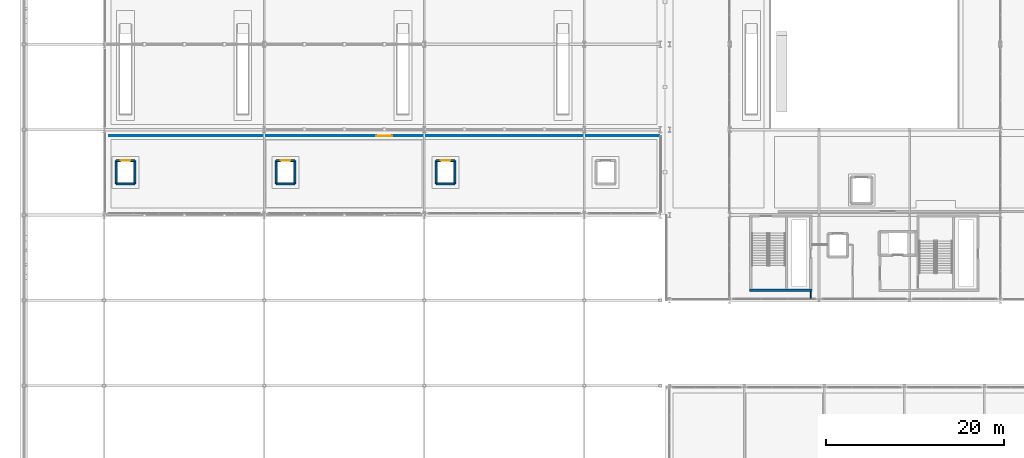
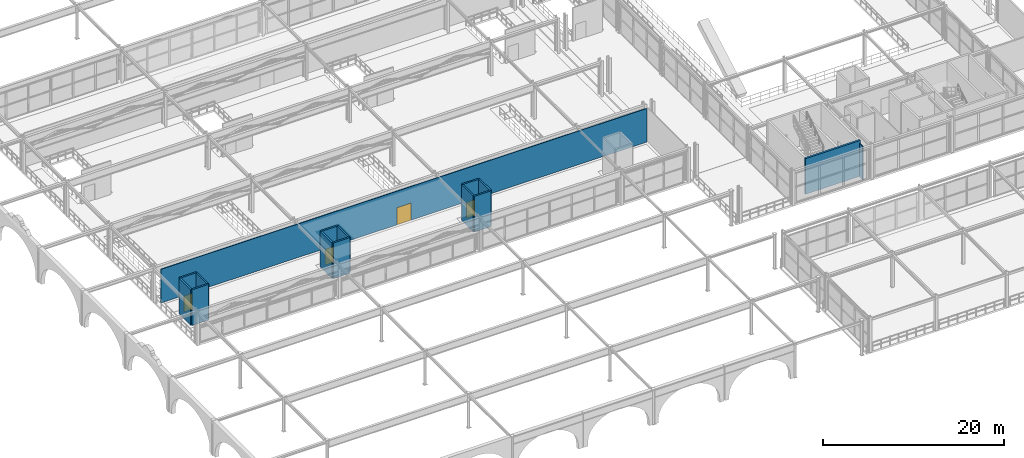
# One storey, part 73 of 125: 15 walls, 4 doors, 4 openings.
"""IFC4 building model written with IfcOpenShell, lengths in metres."""

from ifc_helpers import new_model, si_unit, direction, frame, frame_2d, origin, place, context, subcontext, project, spatial, rectangle, extrude, material, layer, layer_set, type_object, element, fill, save


model = new_model("IFC4")

# Units and contexts
model_context = context("Model", 3, precision=1e-05, world=origin(), true_north=direction((0.0, 1.0)))
body_context = subcontext(model_context, "Body", "Model", "MODEL_VIEW")
ifc_project = project(units=[si_unit("LENGTHUNIT", "METRE"), si_unit("AREAUNIT", "SQUARE_METRE"), si_unit("VOLUMEUNIT", "CUBIC_METRE"), si_unit("PLANEANGLEUNIT", "RADIAN"), si_unit("MASSUNIT", "GRAM", prefix="KILO")], contexts=[model_context])

# Site, building, storey
site_placement = place(None, origin())
site = spatial("IfcSite", under=ifc_project, at=site_placement, CompositionType="ELEMENT")
building_placement = place(site_placement, origin())
building = spatial("IfcBuilding", under=site, at=building_placement, Name="Myrtia Square Station", CompositionType="ELEMENT")
storey_placement = place(building_placement, frame((0.0, 0.0, 6.0)))
storey = spatial("IfcBuildingStorey", under=building, at=storey_placement, Name="L01", CompositionType="ELEMENT", Elevation=6.0)

# Walls
ifc_material_1 = material(Name="Concrete C35/45", Category="concrete")
ifc_layer_1 = layer(ifc_material_1, 0.25, Name="Concrete C35/45")
ifc_layer_set_1 = layer_set([ifc_layer_1], Name="Concrete C35/45")
wall_type_1 = type_object("IfcWallType", Name="WL-CORE-250", PredefinedType="SHEAR", material=ifc_layer_set_1)
wall_1_placement = place(storey_placement, frame((81.60009765625, 29.925048828125, 0.0), z_axis=(0.0, 0.0, 1.0), x_axis=(1.0, 0.0, 0.0)))
element("IfcWall", 1, at=wall_1_placement, inside=storey, type_object=wall_type_1, Name="Core K1 shear wall L01 S", PredefinedType="SHEAR", context=body_context, shape_type="SweptSolid", body=[
    extrude(rectangle(XDim=7.0, YDim=0.25, at=frame_2d((3.5, 0.0))), origin(), (0.0, 0.0, 1.0), 4.800048828125),
])
ifc_layer_2 = layer(ifc_material_1, 0.219970703125, Name="Concrete C35/45")
ifc_layer_set_2 = layer_set([ifc_layer_2], Name="Concrete C35/45")
wall_type_2 = type_object("IfcWallType", Name="WL-LIFT-220", PredefinedType="SHEAR", material=ifc_layer_set_2)
wall_2_placement = place(storey_placement, frame((10.340087890625, 41.889892578125, 0.0), z_axis=(0.0, 0.0, 1.0), x_axis=(1.0, 0.0, 0.0)))
element("IfcWall", 2, at=wall_2_placement, inside=storey, type_object=wall_type_2, Name="Lift shaft wall PL-01 L01 -Y", PredefinedType="SHEAR", context=body_context, shape_type="SweptSolid", body=[
    extrude(rectangle(XDim=2.119873046875, YDim=0.219970703125, at=frame_2d((1.06005859375, 0.0))), origin(), (0.0, 0.0, 1.0), 4.800048828125),
])

# Wall, opening, door
wall_3_placement = place(storey_placement, frame((10.340087890625, 44.510009765625, 0.0), z_axis=(0.0, 0.0, 1.0), x_axis=(1.0, 0.0, 0.0)))
wall_3 = element("IfcWall", 3, at=wall_3_placement, inside=storey, type_object=wall_type_2, Name="Lift shaft wall PL-01 L01 +Y", PredefinedType="SHEAR", context=body_context, shape_type="SweptSolid", body=[
    extrude(rectangle(XDim=2.119873046875, YDim=0.219970703125, at=frame_2d((1.06005859375, 0.0))), origin(), (0.0, 0.0, 1.0), 4.800048828125),
])
opening_1_placement = place(wall_3_placement, frame((0.510009765625, 0.0, 0.0)))
opening_1 = element("IfcOpeningElement", 4, at=opening_1_placement, cuts=wall_3, Name="Opening LD-PL-01", PredefinedType="OPENING", context=body_context, shape_type="SweptSolid", body=[
    extrude(rectangle(XDim=1.10009765625, YDim=2.14990234375, at=frame_2d((0.550048828125, 1.074951171875))), frame((0.0, 0.125, 0.0), z_axis=(0.0, -1.0, 0.0), x_axis=(1.0, 0.0, 0.0)), (0.0, 0.0, 1.0), 0.25),
])
ifc_material_2 = material(Name="Dark bronze anodised aluminium", Category="aluminium")
door_type_1 = type_object("IfcDoorType", Name="DR-LIFT-1100x2150", OperationType="NOTDEFINED", PredefinedType="DOOR", material=ifc_material_2)
door_1_placement = place(opening_1_placement, origin())
door_1 = element("IfcDoor", 5, at=door_1_placement, inside=storey, type_object=door_type_1, Name="Lift landing door PL-01 L01", OperationType="SLIDING_TO_RIGHT", OverallHeight=2.14990234375, OverallWidth=1.10009765625, PredefinedType="DOOR", context=body_context, shape_type="SweptSolid", body=[
    extrude(rectangle(XDim=1.10009765625, YDim=2.14990234375, at=frame_2d((0.550048828125, 1.074951171875))), frame((0.0, 0.02490234375, 0.0), z_axis=(0.0, -1.0, 0.0), x_axis=(1.0, 0.0, 0.0)), (0.0, 0.0, 1.0), 0.050048828125),
])
fill(opening_1, door_1)

# Walls
for number, where, z_axis, x_axis, name in (
    (6, (10.340087890625, 41.889892578125, 0.0), (0.0, 0.0, 1.0), (0.0, 1.0, 0.0), "Lift shaft wall PL-01 L01 -X"),
    (7, (12.4599609375, 41.889892578125, 0.0), (0.0, 0.0, 1.0), (0.0, 1.0, 0.0), "Lift shaft wall PL-01 L01 +X"),
):
    element("IfcWall", number, at=place(storey_placement, frame(where, z_axis=z_axis, x_axis=x_axis)), inside=storey, type_object=wall_type_2, Name=name, PredefinedType="SHEAR", context=body_context, shape_type="SweptSolid", body=[
        extrude(rectangle(XDim=2.6201171875, YDim=0.219970703125, at=frame_2d((1.31005859375, 0.0))), origin(), (0.0, 0.0, 1.0), 4.800048828125),
    ])
wall_4_placement = place(storey_placement, frame((28.340087890625, 41.889892578125, 0.0), z_axis=(0.0, 0.0, 1.0), x_axis=(1.0, 0.0, 0.0)))
element("IfcWall", 8, at=wall_4_placement, inside=storey, type_object=wall_type_2, Name="Lift shaft wall PL-02 L01 -Y", PredefinedType="SHEAR", context=body_context, shape_type="SweptSolid", body=[
    extrude(rectangle(XDim=2.119873046875, YDim=0.219970703125, at=frame_2d((1.06005859375, 0.0))), origin(), (0.0, 0.0, 1.0), 4.800048828125),
])

# Wall, opening, door
wall_5_placement = place(storey_placement, frame((28.340087890625, 44.510009765625, 0.0), z_axis=(0.0, 0.0, 1.0), x_axis=(1.0, 0.0, 0.0)))
wall_5 = element("IfcWall", 9, at=wall_5_placement, inside=storey, type_object=wall_type_2, Name="Lift shaft wall PL-02 L01 +Y", PredefinedType="SHEAR", context=body_context, shape_type="SweptSolid", body=[
    extrude(rectangle(XDim=2.119873046875, YDim=0.219970703125, at=frame_2d((1.06005859375, 0.0))), origin(), (0.0, 0.0, 1.0), 4.800048828125),
])
opening_2_placement = place(wall_5_placement, frame((0.510009765625, 0.0, 0.0)))
opening_2 = element("IfcOpeningElement", 10, at=opening_2_placement, cuts=wall_5, Name="Opening LD-PL-02", PredefinedType="OPENING", context=body_context, shape_type="SweptSolid", body=[
    extrude(rectangle(XDim=1.10009765625, YDim=2.14990234375, at=frame_2d((0.550048828125, 1.074951171875))), frame((0.0, 0.125, 0.0), z_axis=(0.0, -1.0, 0.0), x_axis=(1.0, 0.0, 0.0)), (0.0, 0.0, 1.0), 0.25),
])
door_2_placement = place(opening_2_placement, origin())
door_2 = element("IfcDoor", 11, at=door_2_placement, inside=storey, type_object=door_type_1, Name="Lift landing door PL-02 L01", OperationType="SLIDING_TO_RIGHT", OverallHeight=2.14990234375, OverallWidth=1.10009765625, PredefinedType="DOOR", context=body_context, shape_type="SweptSolid", body=[
    extrude(rectangle(XDim=1.10009765625, YDim=2.14990234375, at=frame_2d((0.550048828125, 1.074951171875))), frame((0.0, 0.02490234375, 0.0), z_axis=(0.0, -1.0, 0.0), x_axis=(1.0, 0.0, 0.0)), (0.0, 0.0, 1.0), 0.050048828125),
])
fill(opening_2, door_2)

# Walls
for number, where, z_axis, x_axis, name in (
    (12, (28.340087890625, 41.889892578125, 0.0), (0.0, 0.0, 1.0), (0.0, 1.0, 0.0), "Lift shaft wall PL-02 L01 -X"),
    (13, (30.4599609375, 41.889892578125, 0.0), (0.0, 0.0, 1.0), (0.0, 1.0, 0.0), "Lift shaft wall PL-02 L01 +X"),
):
    element("IfcWall", number, at=place(storey_placement, frame(where, z_axis=z_axis, x_axis=x_axis)), inside=storey, type_object=wall_type_2, Name=name, PredefinedType="SHEAR", context=body_context, shape_type="SweptSolid", body=[
        extrude(rectangle(XDim=2.6201171875, YDim=0.219970703125, at=frame_2d((1.31005859375, 0.0))), origin(), (0.0, 0.0, 1.0), 4.800048828125),
    ])
wall_6_placement = place(storey_placement, frame((46.340087890625, 41.889892578125, 0.0), z_axis=(0.0, 0.0, 1.0), x_axis=(1.0, 0.0, 0.0)))
element("IfcWall", 14, at=wall_6_placement, inside=storey, type_object=wall_type_2, Name="Lift shaft wall PL-03 L01 -Y", PredefinedType="SHEAR", context=body_context, shape_type="SweptSolid", body=[
    extrude(rectangle(XDim=2.119873046875, YDim=0.219970703125, at=frame_2d((1.06005859375, 0.0))), origin(), (0.0, 0.0, 1.0), 4.800048828125),
])

# Wall, opening, door
wall_7_placement = place(storey_placement, frame((46.340087890625, 44.510009765625, 0.0), z_axis=(0.0, 0.0, 1.0), x_axis=(1.0, 0.0, 0.0)))
wall_7 = element("IfcWall", 15, at=wall_7_placement, inside=storey, type_object=wall_type_2, Name="Lift shaft wall PL-03 L01 +Y", PredefinedType="SHEAR", context=body_context, shape_type="SweptSolid", body=[
    extrude(rectangle(XDim=2.119873046875, YDim=0.219970703125, at=frame_2d((1.06005859375, 0.0))), origin(), (0.0, 0.0, 1.0), 4.800048828125),
])
opening_3_placement = place(wall_7_placement, frame((0.510009765625, 0.0, 0.0)))
opening_3 = element("IfcOpeningElement", 16, at=opening_3_placement, cuts=wall_7, Name="Opening LD-PL-03", PredefinedType="OPENING", context=body_context, shape_type="SweptSolid", body=[
    extrude(rectangle(XDim=1.10009765625, YDim=2.14990234375, at=frame_2d((0.550048828125, 1.074951171875))), frame((0.0, 0.125, 0.0), z_axis=(0.0, -1.0, 0.0), x_axis=(1.0, 0.0, 0.0)), (0.0, 0.0, 1.0), 0.25),
])
door_3_placement = place(opening_3_placement, origin())
door_3 = element("IfcDoor", 17, at=door_3_placement, inside=storey, type_object=door_type_1, Name="Lift landing door PL-03 L01", OperationType="SLIDING_TO_RIGHT", OverallHeight=2.14990234375, OverallWidth=1.10009765625, PredefinedType="DOOR", context=body_context, shape_type="SweptSolid", body=[
    extrude(rectangle(XDim=1.10009765625, YDim=2.14990234375, at=frame_2d((0.550048828125, 1.074951171875))), frame((0.0, 0.02490234375, 0.0), z_axis=(0.0, -1.0, 0.0), x_axis=(1.0, 0.0, 0.0)), (0.0, 0.0, 1.0), 0.050048828125),
])
fill(opening_3, door_3)

# Walls
for number, where, z_axis, x_axis, name in (
    (18, (46.340087890625, 41.889892578125, 0.0), (0.0, 0.0, 1.0), (0.0, 1.0, 0.0), "Lift shaft wall PL-03 L01 -X"),
    (19, (48.4599609375, 41.889892578125, 0.0), (0.0, 0.0, 1.0), (0.0, 1.0, 0.0), "Lift shaft wall PL-03 L01 +X"),
):
    element("IfcWall", number, at=place(storey_placement, frame(where, z_axis=z_axis, x_axis=x_axis)), inside=storey, type_object=wall_type_2, Name=name, PredefinedType="SHEAR", context=body_context, shape_type="SweptSolid", body=[
        extrude(rectangle(XDim=2.6201171875, YDim=0.219970703125, at=frame_2d((1.31005859375, 0.0))), origin(), (0.0, 0.0, 1.0), 4.800048828125),
    ])

# Wall, opening, door
ifc_material_3 = material(Name="Gypsum plasterboard")
ifc_layer_3 = layer(ifc_material_3, 0.10009765625, Name="Gypsum plasterboard")
ifc_layer_set_3 = layer_set([ifc_layer_3], Name="Gypsum plasterboard")
wall_type_3 = type_object("IfcWallType", Name="WL-PART-100", PredefinedType="PARTITIONING", material=ifc_layer_set_3)
wall_8_placement = place(storey_placement, frame((9.550048828125, 47.300048828125, 0.0), z_axis=(0.0, 0.0, 1.0), x_axis=(1.0, 0.0, 0.0)))
wall_8 = element("IfcWall", 20, at=wall_8_placement, inside=storey, type_object=wall_type_3, Name="Interior partition wall L01-02", PredefinedType="PARTITIONING", context=body_context, shape_type="SweptSolid", body=[
    extrude(rectangle(XDim=61.89990234375, YDim=0.10009765625, at=frame_2d((30.949951171875, 0.0))), origin(), (0.0, 0.0, 1.0), 4.530029296875),
])
opening_4_placement = place(wall_8_placement, frame((30.050048828125, 0.0, 0.0)))
opening_4 = element("IfcOpeningElement", 21, at=opening_4_placement, cuts=wall_8, Name="Opening D-236", PredefinedType="OPENING", context=body_context, shape_type="SweptSolid", body=[
    extrude(rectangle(XDim=1.800048828125, YDim=2.300048828125, at=frame_2d((0.89990234375, 1.14990234375))), frame((0.0, 0.06494140625, 0.0), z_axis=(0.0, -1.0, 0.0), x_axis=(1.0, 0.0, 0.0)), (0.0, 0.0, 1.0), 0.130126953125),
])
door_type_2 = type_object("IfcDoorType", Name="DR-CORR-1800x2300", OperationType="NOTDEFINED", PredefinedType="DOOR", material=ifc_material_2)
door_4_placement = place(opening_4_placement, origin())
door_4 = element("IfcDoor", 22, at=door_4_placement, inside=storey, type_object=door_type_2, Name="Platform Interchange Waiting Gallery South door D-236", OperationType="DOUBLE_DOOR_SINGLE_SWING", OverallHeight=2.300048828125, OverallWidth=1.800048828125, PredefinedType="DOOR", context=body_context, shape_type="SweptSolid", body=[
    extrude(rectangle(XDim=1.800048828125, YDim=2.300048828125, at=frame_2d((0.89990234375, 1.14990234375))), frame((0.0, 0.02490234375, 0.0), z_axis=(0.0, -1.0, 0.0), x_axis=(1.0, 0.0, 0.0)), (0.0, 0.0, 1.0), 0.050048828125),
])
fill(opening_4, door_4)

# Wall
wall_9_placement = place(storey_placement, frame((88.469970703125, 29.0400390625, 0.0), z_axis=(0.0, 0.0, 1.0), x_axis=(0.0, 1.0, 0.0)))
element("IfcWall", 23, at=wall_9_placement, inside=storey, type_object=wall_type_3, Name="Sanitary enclosure partition L01-08", PredefinedType="PARTITIONING", context=body_context, shape_type="SweptSolid", body=[
    extrude(rectangle(XDim=0.72998046875, YDim=0.10009765625, at=frame_2d((0.364990234375, 0.0))), origin(), (0.0, 0.0, 1.0), 4.530029296875),
])

save(model, "model.ifc")
